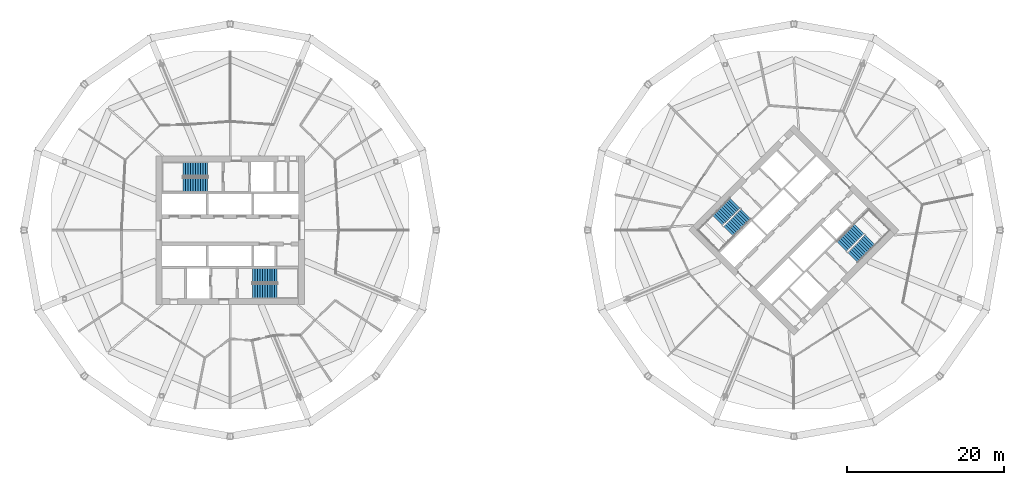
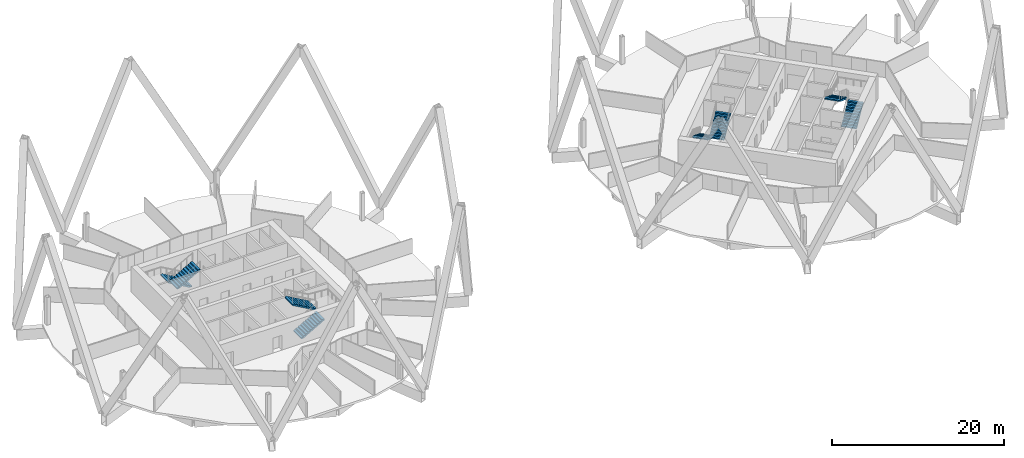
# One storey, part 8 of 9: 8 stair flights, 4 elements without a shape of their own.
"""IFC4 building model written with IfcOpenShell, lengths in metres."""

from ifc_helpers import new_model, si_unit, direction, frame, origin, place, context, subcontext, project, spatial, polyline, outline, extrude, material, type_object, element, aggregate, save


model = new_model("IFC4")

# Units and contexts
model_context = context("Model", 3, precision=1e-05, world=origin(), true_north=direction((0.0, 1.0)))
body_context = subcontext(model_context, "Body", "Model", "MODEL_VIEW")
ifc_project = project(units=[si_unit("LENGTHUNIT", "METRE"), si_unit("AREAUNIT", "SQUARE_METRE"), si_unit("VOLUMEUNIT", "CUBIC_METRE"), si_unit("PLANEANGLEUNIT", "RADIAN"), si_unit("MASSUNIT", "GRAM", prefix="KILO")], contexts=[model_context])

# Site, building, storey
site_placement = place(None, origin())
site = spatial("IfcSite", under=ifc_project, at=site_placement, CompositionType="ELEMENT")
building_placement = place(site_placement, origin())
building = spatial("IfcBuilding", under=site, at=building_placement, Name="Ogive Gate Towers", CompositionType="ELEMENT")
storey_placement = place(building_placement, frame((0.0, 0.0, 51.89990234375)))
storey = spatial("IfcBuildingStorey", under=building, at=storey_placement, Name="L11", CompositionType="ELEMENT", Elevation=51.89990234375)

# Stair, stair flights
ifc_material = material(Name="Concrete C40/50", Category="concrete")
stair_type = type_object("IfcStairType", Name="Escape stair 1840 wide", PredefinedType="HALF_TURN_STAIR", material=ifc_material)
stair_1_placement = place(storey_placement, origin())
stair_1 = element("IfcStair", 1, at=stair_1_placement, inside=storey, type_object=stair_type, Name="L11 Escape stair 1", PredefinedType="HALF_TURN_STAIR")
stair_flight_type = type_object("IfcStairFlightType", Name="Stair flight 1840 wide", PredefinedType="STRAIGHT", material=ifc_material)
stair_flight_1_placement = place(storey_placement, frame((-38.864990234375, 7.780029296875, 0.0), z_axis=(0.0, 0.0, 1.0), x_axis=(-1.0, 0.0, 0.0)))
stair_flight_1 = element("IfcStairFlight", 2, at=stair_flight_1_placement, type_object=stair_flight_type, Name="ST1 flight 1", NumberOfRisers=11, NumberOfTreads=10, PredefinedType="STRAIGHT", RiserHeight=0.177272727, TreadLength=0.313636364, context=body_context, shape_type="SweptSolid", body=[
    extrude(outline(polyline([(0.0, 0.0), (0.0, 0.17724609375), (0.313720703125, 0.17724609375), (0.313720703125, 0.3544921875), (0.627197265625, 0.3544921875), (0.627197265625, 0.53173828125), (0.94091796875, 0.53173828125), (0.94091796875, 0.708984375), (1.254638671875, 0.708984375), (1.254638671875, 0.886474609375), (1.568115234375, 0.886474609375), (1.568115234375, 1.063720703125), (1.8818359375, 1.063720703125), (1.8818359375, 1.240966796875), (2.195556640625, 1.240966796875), (2.195556640625, 1.418212890625), (2.509033203125, 1.418212890625), (2.509033203125, 1.595458984375), (2.82275390625, 1.595458984375), (2.82275390625, 1.772705078125), (3.136474609375, 1.772705078125), (3.136474609375, 1.949951171875), (3.136474609375, 1.6005859375), (0.3046875, 0.0), (0.0, 0.0)])), frame((0.0, 0.919921875, 0.0), z_axis=(0.0, -1.0, 0.0), x_axis=(1.0, 0.0, 0.0)), (0.0, 0.0, 1.0), 1.840087890625),
])
stair_flight_2_placement = place(storey_placement, frame((-42.00146484375, 5.794921875, 1.9501953125), z_axis=(0.0, 0.0, 1.0), x_axis=(1.0, 0.0, 0.0)))
stair_flight_2 = element("IfcStairFlight", 3, at=stair_flight_2_placement, type_object=stair_flight_type, Name="ST1 flight 2", NumberOfRisers=11, NumberOfTreads=10, PredefinedType="STRAIGHT", RiserHeight=0.177272727, TreadLength=0.313636364, context=body_context, shape_type="SweptSolid", body=[
    extrude(outline(polyline([(0.0, 0.0), (0.0, 0.17724609375), (0.313720703125, 0.17724609375), (0.313720703125, 0.3544921875), (0.627197265625, 0.3544921875), (0.627197265625, 0.53173828125), (0.94091796875, 0.53173828125), (0.94091796875, 0.708984375), (1.254638671875, 0.708984375), (1.254638671875, 0.886474609375), (1.568115234375, 0.886474609375), (1.568115234375, 1.063720703125), (1.8818359375, 1.063720703125), (1.8818359375, 1.240966796875), (2.195556640625, 1.240966796875), (2.195556640625, 1.418212890625), (2.509033203125, 1.418212890625), (2.509033203125, 1.595458984375), (2.82275390625, 1.595458984375), (2.82275390625, 1.772705078125), (3.136474609375, 1.772705078125), (3.136474609375, 1.949951171875), (3.136474609375, 1.6005859375), (0.3046875, 0.0), (0.0, 0.0)])), frame((0.0, 0.919921875, 0.0), z_axis=(0.0, -1.0, 0.0), x_axis=(1.0, 0.0, 0.0)), (0.0, 0.0, 1.0), 1.840087890625),
])
aggregate(stair_1, [stair_flight_1, stair_flight_2])

stair_2_placement = place(storey_placement, origin())
stair_2 = element("IfcStair", 4, at=stair_2_placement, inside=storey, type_object=stair_type, Name="L11 Escape stair 2", PredefinedType="HALF_TURN_STAIR")
stair_flight_3_placement = place(storey_placement, frame((-33.135009765625, -7.780029296875, 0.0), z_axis=(0.0, 0.0, 1.0), x_axis=(1.0, 0.0, 0.0)))
stair_flight_3 = element("IfcStairFlight", 5, at=stair_flight_3_placement, type_object=stair_flight_type, Name="ST2 flight 1", NumberOfRisers=11, NumberOfTreads=10, PredefinedType="STRAIGHT", RiserHeight=0.177272727, TreadLength=0.313636364, context=body_context, shape_type="SweptSolid", body=[
    extrude(outline(polyline([(0.0, 0.0), (0.0, 0.17724609375), (0.313720703125, 0.17724609375), (0.313720703125, 0.3544921875), (0.627197265625, 0.3544921875), (0.627197265625, 0.53173828125), (0.94091796875, 0.53173828125), (0.94091796875, 0.708984375), (1.254638671875, 0.708984375), (1.254638671875, 0.886474609375), (1.568115234375, 0.886474609375), (1.568115234375, 1.063720703125), (1.8818359375, 1.063720703125), (1.8818359375, 1.240966796875), (2.195556640625, 1.240966796875), (2.195556640625, 1.418212890625), (2.509033203125, 1.418212890625), (2.509033203125, 1.595458984375), (2.82275390625, 1.595458984375), (2.82275390625, 1.772705078125), (3.136474609375, 1.772705078125), (3.136474609375, 1.949951171875), (3.136474609375, 1.6005859375), (0.3046875, 0.0), (0.0, 0.0)])), frame((0.0, 0.919921875, 0.0), z_axis=(0.0, -1.0, 0.0), x_axis=(1.0, 0.0, 0.0)), (0.0, 0.0, 1.0), 1.840087890625),
])
stair_flight_4_placement = place(storey_placement, frame((-29.99853515625, -5.794921875, 1.9501953125), z_axis=(0.0, 0.0, 1.0), x_axis=(-1.0, 0.0, 0.0)))
stair_flight_4 = element("IfcStairFlight", 6, at=stair_flight_4_placement, type_object=stair_flight_type, Name="ST2 flight 2", NumberOfRisers=11, NumberOfTreads=10, PredefinedType="STRAIGHT", RiserHeight=0.177272727, TreadLength=0.313636364, context=body_context, shape_type="SweptSolid", body=[
    extrude(outline(polyline([(0.0, 0.0), (0.0, 0.17724609375), (0.313720703125, 0.17724609375), (0.313720703125, 0.3544921875), (0.627197265625, 0.3544921875), (0.627197265625, 0.53173828125), (0.94091796875, 0.53173828125), (0.94091796875, 0.708984375), (1.254638671875, 0.708984375), (1.254638671875, 0.886474609375), (1.568115234375, 0.886474609375), (1.568115234375, 1.063720703125), (1.8818359375, 1.063720703125), (1.8818359375, 1.240966796875), (2.195556640625, 1.240966796875), (2.195556640625, 1.418212890625), (2.509033203125, 1.418212890625), (2.509033203125, 1.595458984375), (2.82275390625, 1.595458984375), (2.82275390625, 1.772705078125), (3.136474609375, 1.772705078125), (3.136474609375, 1.949951171875), (3.136474609375, 1.6005859375), (0.3046875, 0.0), (0.0, 0.0)])), frame((0.0, 0.919921875, 0.0), z_axis=(0.0, -1.0, 0.0), x_axis=(1.0, 0.0, 0.0)), (0.0, 0.0, 1.0), 1.840087890625),
])
aggregate(stair_2, [stair_flight_3, stair_flight_4])

stair_3_placement = place(storey_placement, origin())
stair_3 = element("IfcStair", 7, at=stair_3_placement, inside=storey, type_object=stair_type, Name="L11 Escape stair 1", PredefinedType="HALF_TURN_STAIR")
stair_flight_5_placement = place(storey_placement, frame((28.472900390625, 3.475341796875, 0.0), z_axis=(0.0, 0.0, 1.0), x_axis=(-0.707106781187, -0.707106781187, 0.0)))
stair_flight_5 = element("IfcStairFlight", 8, at=stair_flight_5_placement, type_object=stair_flight_type, Name="ST1 flight 1", NumberOfRisers=11, NumberOfTreads=10, PredefinedType="STRAIGHT", RiserHeight=0.177272727, TreadLength=0.313636364, context=body_context, shape_type="SweptSolid", body=[
    extrude(outline(polyline([(0.0, 0.0), (0.0, 0.17724609375), (0.313720703125, 0.17724609375), (0.313720703125, 0.3544921875), (0.627197265625, 0.3544921875), (0.627197265625, 0.53173828125), (0.94091796875, 0.53173828125), (0.94091796875, 0.708984375), (1.254638671875, 0.708984375), (1.254638671875, 0.886474609375), (1.568115234375, 0.886474609375), (1.568115234375, 1.063720703125), (1.8818359375, 1.063720703125), (1.8818359375, 1.240966796875), (2.195556640625, 1.240966796875), (2.195556640625, 1.418212890625), (2.509033203125, 1.418212890625), (2.509033203125, 1.595458984375), (2.82275390625, 1.595458984375), (2.82275390625, 1.772705078125), (3.136474609375, 1.772705078125), (3.136474609375, 1.949951171875), (3.136474609375, 1.6005859375), (0.3046875, 0.0), (0.0, 0.0)])), frame((0.0, 0.919921875, 0.0), z_axis=(0.0, -1.0, 0.0), x_axis=(1.0, 0.0, 0.0)), (0.0, 0.0, 1.0), 1.840087890625),
])
stair_flight_6_placement = place(storey_placement, frame((27.65869140625, -0.14599609375, 1.9501953125), z_axis=(0.0, 0.0, 1.0), x_axis=(0.707106781187, 0.707106781187, 0.0)))
stair_flight_6 = element("IfcStairFlight", 9, at=stair_flight_6_placement, type_object=stair_flight_type, Name="ST1 flight 2", NumberOfRisers=11, NumberOfTreads=10, PredefinedType="STRAIGHT", RiserHeight=0.177272727, TreadLength=0.313636364, context=body_context, shape_type="SweptSolid", body=[
    extrude(outline(polyline([(0.0, 0.0), (0.0, 0.17724609375), (0.313720703125, 0.17724609375), (0.313720703125, 0.3544921875), (0.627197265625, 0.3544921875), (0.627197265625, 0.53173828125), (0.94091796875, 0.53173828125), (0.94091796875, 0.708984375), (1.254638671875, 0.708984375), (1.254638671875, 0.886474609375), (1.568115234375, 0.886474609375), (1.568115234375, 1.063720703125), (1.8818359375, 1.063720703125), (1.8818359375, 1.240966796875), (2.195556640625, 1.240966796875), (2.195556640625, 1.418212890625), (2.509033203125, 1.418212890625), (2.509033203125, 1.595458984375), (2.82275390625, 1.595458984375), (2.82275390625, 1.772705078125), (3.136474609375, 1.772705078125), (3.136474609375, 1.949951171875), (3.136474609375, 1.6005859375), (0.3046875, 0.0), (0.0, 0.0)])), frame((0.0, 0.919921875, 0.0), z_axis=(0.0, -1.0, 0.0), x_axis=(1.0, 0.0, 0.0)), (0.0, 0.0, 1.0), 1.840087890625),
])
aggregate(stair_3, [stair_flight_5, stair_flight_6])

stair_4_placement = place(storey_placement, origin())
stair_4 = element("IfcStair", 10, at=stair_4_placement, inside=storey, type_object=stair_type, Name="L11 Escape stair 2", PredefinedType="HALF_TURN_STAIR")
stair_flight_7_placement = place(storey_placement, frame((43.527099609375, -3.475341796875, 0.0), z_axis=(0.0, 0.0, 1.0), x_axis=(0.707106781187, 0.707106781187, 0.0)))
stair_flight_7 = element("IfcStairFlight", 11, at=stair_flight_7_placement, type_object=stair_flight_type, Name="ST2 flight 1", NumberOfRisers=11, NumberOfTreads=10, PredefinedType="STRAIGHT", RiserHeight=0.177272727, TreadLength=0.313636364, context=body_context, shape_type="SweptSolid", body=[
    extrude(outline(polyline([(0.0, 0.0), (0.0, 0.17724609375), (0.313720703125, 0.17724609375), (0.313720703125, 0.3544921875), (0.627197265625, 0.3544921875), (0.627197265625, 0.53173828125), (0.94091796875, 0.53173828125), (0.94091796875, 0.708984375), (1.254638671875, 0.708984375), (1.254638671875, 0.886474609375), (1.568115234375, 0.886474609375), (1.568115234375, 1.063720703125), (1.8818359375, 1.063720703125), (1.8818359375, 1.240966796875), (2.195556640625, 1.240966796875), (2.195556640625, 1.418212890625), (2.509033203125, 1.418212890625), (2.509033203125, 1.595458984375), (2.82275390625, 1.595458984375), (2.82275390625, 1.772705078125), (3.136474609375, 1.772705078125), (3.136474609375, 1.949951171875), (3.136474609375, 1.6005859375), (0.3046875, 0.0), (0.0, 0.0)])), frame((0.0, 0.919921875, 0.0), z_axis=(0.0, -1.0, 0.0), x_axis=(1.0, 0.0, 0.0)), (0.0, 0.0, 1.0), 1.840087890625),
])
stair_flight_8_placement = place(storey_placement, frame((44.34130859375, 0.14599609375, 1.9501953125), z_axis=(0.0, 0.0, 1.0), x_axis=(-0.707106781187, -0.707106781187, 0.0)))
stair_flight_8 = element("IfcStairFlight", 12, at=stair_flight_8_placement, type_object=stair_flight_type, Name="ST2 flight 2", NumberOfRisers=11, NumberOfTreads=10, PredefinedType="STRAIGHT", RiserHeight=0.177272727, TreadLength=0.313636364, context=body_context, shape_type="SweptSolid", body=[
    extrude(outline(polyline([(0.0, 0.0), (0.0, 0.17724609375), (0.313720703125, 0.17724609375), (0.313720703125, 0.3544921875), (0.627197265625, 0.3544921875), (0.627197265625, 0.53173828125), (0.94091796875, 0.53173828125), (0.94091796875, 0.708984375), (1.254638671875, 0.708984375), (1.254638671875, 0.886474609375), (1.568115234375, 0.886474609375), (1.568115234375, 1.063720703125), (1.8818359375, 1.063720703125), (1.8818359375, 1.240966796875), (2.195556640625, 1.240966796875), (2.195556640625, 1.418212890625), (2.509033203125, 1.418212890625), (2.509033203125, 1.595458984375), (2.82275390625, 1.595458984375), (2.82275390625, 1.772705078125), (3.136474609375, 1.772705078125), (3.136474609375, 1.949951171875), (3.136474609375, 1.6005859375), (0.3046875, 0.0), (0.0, 0.0)])), frame((0.0, 0.919921875, 0.0), z_axis=(0.0, -1.0, 0.0), x_axis=(1.0, 0.0, 0.0)), (0.0, 0.0, 1.0), 1.840087890625),
])
aggregate(stair_4, [stair_flight_7, stair_flight_8])

save(model, "model.ifc")
